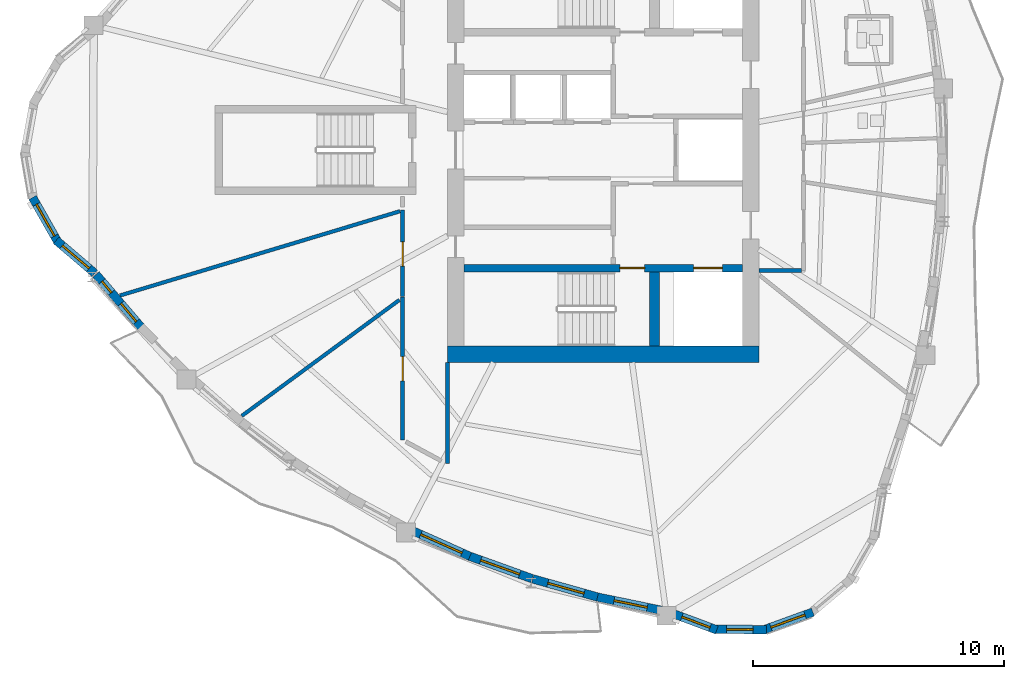
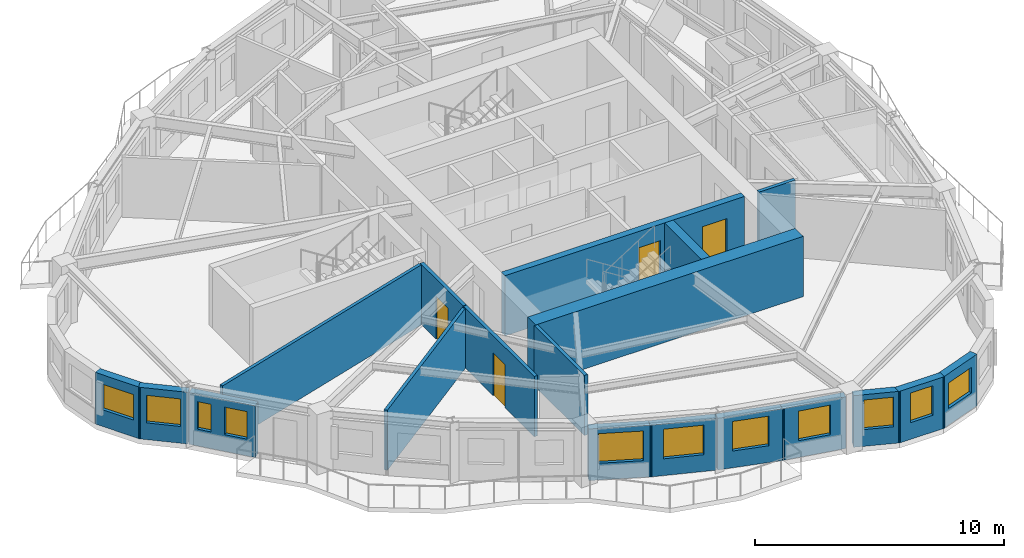
# One storey, part 3 of 12: 19 walls, 11 windows, 4 doors, 15 openings.
"""IFC4 building model written with IfcOpenShell, lengths in metres."""

from ifc_helpers import new_model, si_unit, direction, frame, frame_2d, origin, place, context, subcontext, project, spatial, rectangle, extrude, source, transform, mapped, material, layer, layer_set, type_object, element, fill, save


model = new_model("IFC4")

# Units and contexts
model_context = context("Model", 3, precision=1e-05, world=origin(), true_north=direction((0.0, 1.0)))
body_context = subcontext(model_context, "Body", "Model", "MODEL_VIEW")
ifc_project = project(units=[si_unit("LENGTHUNIT", "METRE"), si_unit("AREAUNIT", "SQUARE_METRE"), si_unit("VOLUMEUNIT", "CUBIC_METRE"), si_unit("PLANEANGLEUNIT", "RADIAN"), si_unit("MASSUNIT", "GRAM", prefix="KILO")], contexts=[model_context])

# Site, building, storey
site_placement = place(None, origin())
site = spatial("IfcSite", under=ifc_project, at=site_placement, CompositionType="ELEMENT")
building_placement = place(site_placement, origin())
building = spatial("IfcBuilding", under=site, at=building_placement, Name="Qafzar Sky-Pleat Residences", CompositionType="ELEMENT")
storey_placement = place(building_placement, frame((0.0, 0.0, 139.39990234375)))
storey = spatial("IfcBuildingStorey", under=building, at=storey_placement, Name="L41", CompositionType="ELEMENT", Elevation=139.39990234375)

# Wall, opening, door
ifc_material_1 = material(Name="Acoustic gypsum plasterboard partition", Category="gypsum")
ifc_layer_1 = layer(ifc_material_1, 0.159912109375)
ifc_layer_set_1 = layer_set([ifc_layer_1], Name="Acoustic gypsum plasterboard partition")
wall_type_1 = type_object("IfcWallType", Name="PART-COR-160", PredefinedType="PARTITIONING", material=ifc_layer_set_1)
wall_1_placement = place(storey_placement, frame((22.3701171875, 20.14794921875, 0.0), z_axis=(0.0, 0.0, 1.0), x_axis=(0.0, -1.0, 0.0)))
wall_1 = element("IfcWall", 1, at=wall_1_placement, inside=storey, type_object=wall_type_1, Name="L41 Partition Wall PART-L41-PW-001", PredefinedType="PARTITIONING", context=body_context, shape_type="SweptSolid", body=[
    extrude(rectangle(XDim=5.69287109375, YDim=0.159912109375, at=frame_2d((2.846435546875, 0.0))), origin(), (0.0, 0.0, 1.0), 2.9501953125),
])
opening_1_placement = place(wall_1_placement, frame((2.37548828125, 0.0, 0.0)))
opening_1 = element("IfcOpeningElement", 2, at=opening_1_placement, cuts=wall_1, Name="Opening ID-06", PredefinedType="OPENING", context=body_context, shape_type="SweptSolid", body=[
    extrude(rectangle(XDim=0.9599609375, YDim=2.10009765625, at=frame_2d((0.47998046875, 1.050048828125))), frame((0.0, 0.08984375, 0.0), z_axis=(0.0, -1.0, 0.0), x_axis=(1.0, 0.0, 0.0)), (0.0, 0.0, 1.0), 0.179931640625),
])
ifc_material_2 = material(Name="Timber-faced fire door", Category="wood")
door_type_1 = type_object("IfcDoorType", Name="DR-STD-960", OperationType="NOTDEFINED", PredefinedType="DOOR", material=ifc_material_2)
shared_shape_1 = source(origin(), body_context, "Body", "SweptSolid", [
    extrude(rectangle(XDim=0.9599609375, YDim=2.10009765625, at=frame_2d((0.47998046875, 1.050048828125))), frame((0.0, 0.02490234375, 0.0), z_axis=(0.0, -1.0, 0.0), x_axis=(1.0, 0.0, 0.0)), (0.0, 0.0, 1.0), 0.050048828125),
])
door_1_placement = place(opening_1_placement, origin())
door_1 = element("IfcDoor", 3, at=door_1_placement, inside=storey, type_object=door_type_1, Name="L41 Scholar Co-Working Workspace Door", OperationType="SINGLE_SWING_LEFT", OverallHeight=2.10009765625, OverallWidth=0.9599609375, PredefinedType="DOOR", context=body_context, shape_type="MappedRepresentation", body=[
    mapped(shared_shape_1, transform((0.0, 0.0, 0.0), x_axis=(1.0, 0.0, 0.0), y_axis=(0.0, 1.0, 0.0), z_axis=(0.0, 0.0, 1.0), scale=1.0)),
])
fill(opening_1, door_1)

wall_2_placement = place(storey_placement, frame((22.3701171875, 20.1630859375, 0.0), z_axis=(0.0, 0.0, 1.0), x_axis=(0.0, 1.0, 0.0)))
wall_2 = element("IfcWall", 4, at=wall_2_placement, inside=storey, type_object=wall_type_1, Name="L41 Partition Wall PART-L41-PW-007", PredefinedType="PARTITIONING", context=body_context, shape_type="SweptSolid", body=[
    extrude(rectangle(XDim=3.449951171875, YDim=0.159912109375, at=frame_2d((1.72509765625, 0.0))), origin(), (0.0, 0.0, 1.0), 2.9501953125),
])
opening_2_placement = place(wall_2_placement, frame((1.220947265625, 0.0, 0.0)))
opening_2 = element("IfcOpeningElement", 5, at=opening_2_placement, cuts=wall_2, Name="Opening ID-06", PredefinedType="OPENING", context=body_context, shape_type="SweptSolid", body=[
    extrude(rectangle(XDim=0.9599609375, YDim=2.10009765625, at=frame_2d((0.47998046875, 1.050048828125))), frame((0.0, 0.08984375, 0.0), z_axis=(0.0, -1.0, 0.0), x_axis=(1.0, 0.0, 0.0)), (0.0, 0.0, 1.0), 0.179931640625),
])
door_2_placement = place(opening_2_placement, origin())
door_2 = element("IfcDoor", 6, at=door_2_placement, inside=storey, type_object=door_type_1, Name="L41 Wellness Yoga Studio Door", OperationType="SINGLE_SWING_RIGHT", OverallHeight=2.10009765625, OverallWidth=0.9599609375, PredefinedType="DOOR", context=body_context, shape_type="MappedRepresentation", body=[
    mapped(shared_shape_1, transform((0.0, 0.0, 0.0), x_axis=(1.0, 0.0, 0.0), y_axis=(0.0, 1.0, 0.0), z_axis=(0.0, 0.0, 1.0), scale=1.0)),
])
fill(opening_2, door_2)

# Walls
wall_3_placement = place(storey_placement, frame((24.14990234375, 13.51611328125, 0.0), z_axis=(0.0, 0.0, 1.0), x_axis=(0.0, 1.0, 0.0)))
element("IfcWall", 7, at=wall_3_placement, inside=storey, type_object=wall_type_1, Name="L41 Partition Wall PART-L41-PW-025", PredefinedType="PARTITIONING", context=body_context, shape_type="SweptSolid", body=[
    extrude(rectangle(XDim=4.02587890625, YDim=0.159912109375, at=frame_2d((2.012939453125, 0.0))), origin(), (0.0, 0.0, 1.0), 2.9501953125),
])
wall_4_placement = place(storey_placement, frame((36.55810546875, 21.199951171875, 0.0), z_axis=(0.0, 0.0, 1.0), x_axis=(1.0, 0.0, 0.0)))
element("IfcWall", 8, at=wall_4_placement, inside=storey, type_object=wall_type_1, Name="L41 Partition Wall PART-L41-PW-034", PredefinedType="PARTITIONING", context=body_context, shape_type="SweptSolid", body=[
    extrude(rectangle(XDim=1.683837890625, YDim=0.159912109375, at=frame_2d((0.841796875, 0.0))), origin(), (0.0, 0.0, 1.0), 2.9501953125),
])
ifc_layer_2 = layer(ifc_material_1, 0.14501953125)
ifc_layer_set_2 = layer_set([ifc_layer_2], Name="Acoustic gypsum plasterboard partition")
wall_type_2 = type_object("IfcWallType", Name="PART-UNIT-145", PredefinedType="PARTITIONING", material=ifc_layer_set_2)
wall_5_placement = place(storey_placement, frame((11.112548828125, 20.20849609375, 0.0), z_axis=(0.0, 0.0, 1.0), x_axis=(0.957541878855, 0.288294207778, 0.0)))
element("IfcWall", 9, at=wall_5_placement, inside=storey, type_object=wall_type_2, Name="L41 Partition Wall PART-L41-PW-014", PredefinedType="PARTITIONING", context=body_context, shape_type="SweptSolid", body=[
    extrude(rectangle(XDim=11.643310546875, YDim=0.14501953125, at=frame_2d((5.82177734375, 0.0))), origin(), (0.0, 0.0, 1.0), 2.9501953125),
])
wall_6_placement = place(storey_placement, frame((15.96240234375, 15.416015625, 0.0), z_axis=(0.0, 0.0, 1.0), x_axis=(0.805487856374, 0.59261227901, 0.0)))
element("IfcWall", 10, at=wall_6_placement, inside=storey, type_object=wall_type_2, Name="L41 Partition Wall PART-L41-PW-016", PredefinedType="PARTITIONING", context=body_context, shape_type="SweptSolid", body=[
    extrude(rectangle(XDim=7.794189453125, YDim=0.14501953125, at=frame_2d((3.89697265625, 0.0))), origin(), (0.0, 0.0, 1.0), 2.9501953125),
])

# Wall, opening, window
ifc_material_3 = material(Name="Precast concrete C40/50 with honed Riyadh limestone", Category="concrete")
ifc_layer_3 = layer(ifc_material_3, 0.340087890625)
ifc_layer_set_3 = layer_set([ifc_layer_3], Name="Precast concrete C40/50 with honed Riyadh limestone")
wall_type_3 = type_object("IfcWallType", Name="WALL-EXT-340", PredefinedType="SOLIDWALL", material=ifc_layer_set_3)
wall_7_placement = place(storey_placement, frame((7.63037109375, 24.11279296875, 0.0), z_axis=(0.0, 0.0, 1.0), x_axis=(0.49374939324, -0.869604241408, 0.0)))
wall_7 = element("IfcWall", 11, at=wall_7_placement, inside=storey, type_object=wall_type_3, Name="L41 Limestone Facade Wall 5", PredefinedType="SOLIDWALL", context=body_context, shape_type="SweptSolid", body=[
    extrude(rectangle(XDim=2.081298828125, YDim=0.340087890625, at=frame_2d((1.04052734375, 0.0))), origin(), (0.0, 0.0, 1.0), 2.530029296875),
])
opening_3_placement = place(wall_7_placement, frame((0.315673828125, 0.0, 0.820068359375)))
opening_3 = element("IfcOpeningElement", 12, at=opening_3_placement, cuts=wall_7, Name="Opening WN-15", PredefinedType="OPENING", context=body_context, shape_type="SweptSolid", body=[
    extrude(rectangle(XDim=1.449951171875, YDim=1.25, at=frame_2d((0.72509765625, 0.625))), frame((0.0, 0.18017578125, 0.0), z_axis=(0.0, -1.0, 0.0), x_axis=(1.0, 0.0, 0.0)), (0.0, 0.0, 1.0), 0.360107421875),
])
ifc_material_4 = material(Name="Solar-control low-E glass in bronze aluminium frame", Category="glass")
window_type_1 = type_object("IfcWindowType", Name="WIN-15", PartitioningType="SINGLE_PANEL", PredefinedType="WINDOW", material=ifc_material_4)
shared_shape_2 = source(origin(), body_context, "Body", "SweptSolid", [
    extrude(rectangle(XDim=1.449951171875, YDim=1.25, at=frame_2d((0.72509765625, 0.625))), frame((0.0, 0.030029296875, 0.0), z_axis=(0.0, -1.0, 0.0), x_axis=(1.0, 0.0, 0.0)), (0.0, 0.0, 1.0), 0.06005859375),
])
window_1_placement = place(opening_3_placement, origin())
window_1 = element("IfcWindow", 13, at=window_1_placement, inside=storey, type_object=window_type_1, Name="L41 Punched Facade Window 05", OverallHeight=1.25, OverallWidth=1.449951171875, PartitioningType="SINGLE_PANEL", PredefinedType="WINDOW", context=body_context, shape_type="MappedRepresentation", body=[
    mapped(shared_shape_2, transform((0.0, 0.0, 0.0), x_axis=(1.0, 0.0, 0.0), y_axis=(0.0, 1.0, 0.0), z_axis=(0.0, 0.0, 1.0), scale=1.0)),
])
fill(opening_3, window_1)

wall_8_placement = place(storey_placement, frame((8.57275390625, 22.406005859375, 0.0), z_axis=(0.0, 0.0, 1.0), x_axis=(0.760379886087, -0.649478582276, 0.0)))
wall_8 = element("IfcWall", 14, at=wall_8_placement, inside=storey, type_object=wall_type_3, Name="L41 Limestone Facade Wall 6", PredefinedType="SOLIDWALL", context=body_context, shape_type="SweptSolid", body=[
    extrude(rectangle(XDim=2.023193359375, YDim=0.340087890625, at=frame_2d((1.01171875, 0.0))), origin(), (0.0, 0.0, 1.0), 2.530029296875),
])
opening_4_placement = place(wall_8_placement, frame((0.321533203125, 0.0, 0.820068359375)))
opening_4 = element("IfcOpeningElement", 15, at=opening_4_placement, cuts=wall_8, Name="Opening WN-10", PredefinedType="OPENING", context=body_context, shape_type="SweptSolid", body=[
    extrude(rectangle(XDim=1.39990234375, YDim=1.35009765625, at=frame_2d((0.699951171875, 0.675048828125))), frame((0.0, 0.18017578125, 0.0), z_axis=(0.0, -1.0, 0.0), x_axis=(1.0, 0.0, 0.0)), (0.0, 0.0, 1.0), 0.360107421875),
])
window_type_2 = type_object("IfcWindowType", Name="WIN-10", PartitioningType="SINGLE_PANEL", PredefinedType="WINDOW", material=ifc_material_4)
shared_shape_3 = source(origin(), body_context, "Body", "SweptSolid", [
    extrude(rectangle(XDim=1.39990234375, YDim=1.35009765625, at=frame_2d((0.699951171875, 0.675048828125))), frame((0.0, 0.030029296875, 0.0), z_axis=(0.0, -1.0, 0.0), x_axis=(1.0, 0.0, 0.0)), (0.0, 0.0, 1.0), 0.06005859375),
])
window_2_placement = place(opening_4_placement, origin())
window_2 = element("IfcWindow", 16, at=window_2_placement, inside=storey, type_object=window_type_2, Name="L41 Punched Facade Window 06", OverallHeight=1.35009765625, OverallWidth=1.39990234375, PartitioningType="SINGLE_PANEL", PredefinedType="WINDOW", context=body_context, shape_type="MappedRepresentation", body=[
    mapped(shared_shape_3, transform((0.0, 0.0, 0.0), x_axis=(1.0, 0.0, 0.0), y_axis=(0.0, 1.0, 0.0), z_axis=(0.0, 0.0, 1.0), scale=1.0)),
])
fill(opening_4, window_2)

# Wall, openings, windows
wall_9_placement = place(storey_placement, frame((10.157958984375, 21.045166015625, 0.0), z_axis=(0.0, 0.0, 1.0), x_axis=(0.650385352329, -0.759604432238, 0.0)))
wall_9 = element("IfcWall", 17, at=wall_9_placement, inside=storey, type_object=wall_type_3, Name="L41 Limestone Facade Wall 7", PredefinedType="SOLIDWALL", context=body_context, shape_type="SweptSolid", body=[
    extrude(rectangle(XDim=2.8232421875, YDim=0.340087890625, at=frame_2d((1.41162109375, 0.0))), origin(), (0.0, 0.0, 1.0), 2.530029296875),
])
opening_5_placement = place(wall_9_placement, frame((0.363525390625, 0.0, 0.820068359375)))
opening_5 = element("IfcOpeningElement", 18, at=opening_5_placement, cuts=wall_9, Name="Opening WN-17", PredefinedType="OPENING", context=body_context, shape_type="SweptSolid", body=[
    extrude(rectangle(XDim=0.580078125, YDim=1.35009765625, at=frame_2d((0.2900390625, 0.675048828125))), frame((0.0, 0.18017578125, 0.0), z_axis=(0.0, -1.0, 0.0), x_axis=(1.0, 0.0, 0.0)), (0.0, 0.0, 1.0), 0.360107421875),
])
opening_6_placement = place(wall_9_placement, frame((1.520263671875, 0.0, 0.820068359375)))
opening_6 = element("IfcOpeningElement", 19, at=opening_6_placement, cuts=wall_9, Name="Opening WN-12", PredefinedType="OPENING", context=body_context, shape_type="SweptSolid", body=[
    extrude(rectangle(XDim=0.949951171875, YDim=1.35009765625, at=frame_2d((0.47509765625, 0.675048828125))), frame((0.0, 0.18017578125, 0.0), z_axis=(0.0, -1.0, 0.0), x_axis=(1.0, 0.0, 0.0)), (0.0, 0.0, 1.0), 0.360107421875),
])
window_type_3 = type_object("IfcWindowType", Name="WIN-12", PartitioningType="SINGLE_PANEL", PredefinedType="WINDOW", material=ifc_material_4)
shared_shape_4 = source(origin(), body_context, "Body", "SweptSolid", [
    extrude(rectangle(XDim=0.949951171875, YDim=1.35009765625, at=frame_2d((0.47509765625, 0.675048828125))), frame((0.0, 0.030029296875, 0.0), z_axis=(0.0, -1.0, 0.0), x_axis=(1.0, 0.0, 0.0)), (0.0, 0.0, 1.0), 0.06005859375),
])
window_3_placement = place(opening_6_placement, origin())
window_3 = element("IfcWindow", 20, at=window_3_placement, inside=storey, type_object=window_type_3, Name="L41 Punched Facade Window 07-2", OverallHeight=1.35009765625, OverallWidth=0.949951171875, PartitioningType="SINGLE_PANEL", PredefinedType="WINDOW", context=body_context, shape_type="MappedRepresentation", body=[
    mapped(shared_shape_4, transform((0.0, 0.0, 0.0), x_axis=(1.0, 0.0, 0.0), y_axis=(0.0, 1.0, 0.0), z_axis=(0.0, 0.0, 1.0), scale=1.0)),
])
fill(opening_6, window_3)
window_type_4 = type_object("IfcWindowType", Name="WIN-17", PartitioningType="SINGLE_PANEL", PredefinedType="WINDOW", material=ifc_material_4)
shared_shape_5 = source(origin(), body_context, "Body", "SweptSolid", [
    extrude(rectangle(XDim=0.580078125, YDim=1.35009765625, at=frame_2d((0.2900390625, 0.675048828125))), frame((0.0, 0.030029296875, 0.0), z_axis=(0.0, -1.0, 0.0), x_axis=(1.0, 0.0, 0.0)), (0.0, 0.0, 1.0), 0.06005859375),
])
window_4_placement = place(opening_5_placement, origin())
window_4 = element("IfcWindow", 21, at=window_4_placement, inside=storey, type_object=window_type_4, Name="L41 Punched Facade Window 07", OverallHeight=1.35009765625, OverallWidth=0.580078125, PartitioningType="SINGLE_PANEL", PredefinedType="WINDOW", context=body_context, shape_type="MappedRepresentation", body=[
    mapped(shared_shape_5, transform((0.0, 0.0, 0.0), x_axis=(1.0, 0.0, 0.0), y_axis=(0.0, 1.0, 0.0), z_axis=(0.0, 0.0, 1.0), scale=1.0)),
])
fill(opening_5, window_4)

# Wall, opening, window
wall_10_placement = place(storey_placement, frame((22.710693359375, 10.8623046875, 0.0), z_axis=(0.0, 0.0, 1.0), x_axis=(0.913215380704, -0.40747719991, 0.0)))
wall_10 = element("IfcWall", 22, at=wall_10_placement, inside=storey, type_object=wall_type_3, Name="L41 Limestone Facade Wall 13", PredefinedType="SOLIDWALL", context=body_context, shape_type="SweptSolid", body=[
    extrude(rectangle(XDim=2.55419921875, YDim=0.340087890625, at=frame_2d((1.277099609375, 0.0))), origin(), (0.0, 0.0, 1.0), 2.530029296875),
])
opening_7_placement = place(wall_10_placement, frame((0.412109375, 0.0, 0.820068359375)))
opening_7 = element("IfcOpeningElement", 23, at=opening_7_placement, cuts=wall_10, Name="Opening WN-01", PredefinedType="OPENING", context=body_context, shape_type="SweptSolid", body=[
    extrude(rectangle(XDim=1.800048828125, YDim=1.449951171875, at=frame_2d((0.89990234375, 0.72509765625))), frame((0.0, 0.18017578125, 0.0), z_axis=(0.0, -1.0, 0.0), x_axis=(1.0, 0.0, 0.0)), (0.0, 0.0, 1.0), 0.360107421875),
])
window_type_5 = type_object("IfcWindowType", Name="WIN-01", PartitioningType="DOUBLE_PANEL_VERTICAL", PredefinedType="WINDOW", material=ifc_material_4)
shared_shape_6 = source(origin(), body_context, "Body", "SweptSolid", [
    extrude(rectangle(XDim=1.800048828125, YDim=1.449951171875, at=frame_2d((0.89990234375, 0.72509765625))), frame((0.0, 0.030029296875, 0.0), z_axis=(0.0, -1.0, 0.0), x_axis=(1.0, 0.0, 0.0)), (0.0, 0.0, 1.0), 0.06005859375),
])
window_5_placement = place(opening_7_placement, origin())
window_5 = element("IfcWindow", 24, at=window_5_placement, inside=storey, type_object=window_type_5, Name="L41 Punched Facade Window 13", OverallHeight=1.449951171875, OverallWidth=1.800048828125, PartitioningType="SINGLE_PANEL", PredefinedType="WINDOW", context=body_context, shape_type="MappedRepresentation", body=[
    mapped(shared_shape_6, transform((0.0, 0.0, 0.0), x_axis=(1.0, 0.0, 0.0), y_axis=(0.0, 1.0, 0.0), z_axis=(0.0, 0.0, 1.0), scale=1.0)),
])
fill(opening_7, window_5)

wall_11_placement = place(storey_placement, frame((24.961181640625, 9.8544921875, 0.0), z_axis=(0.0, 0.0, 1.0), x_axis=(0.940920595733, -0.338627276701, 0.0)))
wall_11 = element("IfcWall", 25, at=wall_11_placement, inside=storey, type_object=wall_type_3, Name="L41 Limestone Facade Wall 14", PredefinedType="SOLIDWALL", context=body_context, shape_type="SweptSolid", body=[
    extrude(rectangle(XDim=2.719482421875, YDim=0.340087890625, at=frame_2d((1.35986328125, 0.0))), origin(), (0.0, 0.0, 1.0), 2.530029296875),
])
opening_8_placement = place(wall_11_placement, frame((0.544921875, 0.0, 0.820068359375)))
opening_8 = element("IfcOpeningElement", 26, at=opening_8_placement, cuts=wall_11, Name="Opening WN-02", PredefinedType="OPENING", context=body_context, shape_type="SweptSolid", body=[
    extrude(rectangle(XDim=1.64990234375, YDim=1.449951171875, at=frame_2d((0.824951171875, 0.72509765625))), frame((0.0, 0.18017578125, 0.0), z_axis=(0.0, -1.0, 0.0), x_axis=(1.0, 0.0, 0.0)), (0.0, 0.0, 1.0), 0.360107421875),
])
window_type_6 = type_object("IfcWindowType", Name="WIN-02", PartitioningType="DOUBLE_PANEL_VERTICAL", PredefinedType="WINDOW", material=ifc_material_4)
shared_shape_7 = source(origin(), body_context, "Body", "SweptSolid", [
    extrude(rectangle(XDim=1.64990234375, YDim=1.449951171875, at=frame_2d((0.824951171875, 0.72509765625))), frame((0.0, 0.030029296875, 0.0), z_axis=(0.0, -1.0, 0.0), x_axis=(1.0, 0.0, 0.0)), (0.0, 0.0, 1.0), 0.06005859375),
])
window_6_placement = place(opening_8_placement, origin())
window_6 = element("IfcWindow", 27, at=window_6_placement, inside=storey, type_object=window_type_6, Name="L41 Punched Facade Window 14", OverallHeight=1.449951171875, OverallWidth=1.64990234375, PartitioningType="SINGLE_PANEL", PredefinedType="WINDOW", context=body_context, shape_type="MappedRepresentation", body=[
    mapped(shared_shape_7, transform((0.0, 0.0, 0.0), x_axis=(1.0, 0.0, 0.0), y_axis=(0.0, 1.0, 0.0), z_axis=(0.0, 0.0, 1.0), scale=1.0)),
])
fill(opening_8, window_6)

wall_12_placement = place(storey_placement, frame((27.54638671875, 8.925048828125, 0.0), z_axis=(0.0, 0.0, 1.0), x_axis=(0.962897957222, -0.269865751767, 0.0)))
wall_12 = element("IfcWall", 28, at=wall_12_placement, inside=storey, type_object=wall_type_3, Name="L41 Limestone Facade Wall 15", PredefinedType="SOLIDWALL", context=body_context, shape_type="SweptSolid", body=[
    extrude(rectangle(XDim=2.7646484375, YDim=0.340087890625, at=frame_2d((1.38232421875, 0.0))), origin(), (0.0, 0.0, 1.0), 2.530029296875),
])
opening_9_placement = place(wall_12_placement, frame((0.622314453125, 0.0, 0.820068359375)))
opening_9 = element("IfcOpeningElement", 29, at=opening_9_placement, cuts=wall_12, Name="Opening WN-03", PredefinedType="OPENING", context=body_context, shape_type="SweptSolid", body=[
    extrude(rectangle(XDim=1.5, YDim=1.449951171875, at=frame_2d((0.75, 0.72509765625))), frame((0.0, 0.18017578125, 0.0), z_axis=(0.0, -1.0, 0.0), x_axis=(1.0, 0.0, 0.0)), (0.0, 0.0, 1.0), 0.360107421875),
])
window_type_7 = type_object("IfcWindowType", Name="WIN-03", PartitioningType="DOUBLE_PANEL_VERTICAL", PredefinedType="WINDOW", material=ifc_material_4)
shared_shape_8 = source(origin(), body_context, "Body", "SweptSolid", [
    extrude(rectangle(XDim=1.5, YDim=1.449951171875, at=frame_2d((0.75, 0.72509765625))), frame((0.0, 0.030029296875, 0.0), z_axis=(0.0, -1.0, 0.0), x_axis=(1.0, 0.0, 0.0)), (0.0, 0.0, 1.0), 0.06005859375),
])
window_7_placement = place(opening_9_placement, origin())
window_7 = element("IfcWindow", 30, at=window_7_placement, inside=storey, type_object=window_type_7, Name="L41 Punched Facade Window 15", OverallHeight=1.449951171875, OverallWidth=1.5, PartitioningType="SINGLE_PANEL", PredefinedType="WINDOW", context=body_context, shape_type="MappedRepresentation", body=[
    mapped(shared_shape_8, transform((0.0, 0.0, 0.0), x_axis=(1.0, 0.0, 0.0), y_axis=(0.0, 1.0, 0.0), z_axis=(0.0, 0.0, 1.0), scale=1.0)),
])
fill(opening_9, window_7)

wall_13_placement = place(storey_placement, frame((30.123291015625, 8.19970703125, 0.0), z_axis=(0.0, 0.0, 1.0), x_axis=(0.979331814777, -0.20226021993, 0.0)))
wall_13 = element("IfcWall", 31, at=wall_13_placement, inside=storey, type_object=wall_type_3, Name="L41 Limestone Facade Wall 16", PredefinedType="SOLIDWALL", context=body_context, shape_type="SweptSolid", body=[
    extrude(rectangle(XDim=2.688232421875, YDim=0.340087890625, at=frame_2d((1.34423828125, 0.0))), origin(), (0.0, 0.0, 1.0), 2.530029296875),
])
opening_10_placement = place(wall_13_placement, frame((0.674072265625, 0.0, 0.820068359375)))
opening_10 = element("IfcOpeningElement", 32, at=opening_10_placement, cuts=wall_13, Name="Opening WN-04", PredefinedType="OPENING", context=body_context, shape_type="SweptSolid", body=[
    extrude(rectangle(XDim=1.35009765625, YDim=1.449951171875, at=frame_2d((0.675048828125, 0.72509765625))), frame((0.0, 0.18017578125, 0.0), z_axis=(0.0, -1.0, 0.0), x_axis=(1.0, 0.0, 0.0)), (0.0, 0.0, 1.0), 0.360107421875),
])
window_type_8 = type_object("IfcWindowType", Name="WIN-04", PartitioningType="SINGLE_PANEL", PredefinedType="WINDOW", material=ifc_material_4)
shared_shape_9 = source(origin(), body_context, "Body", "SweptSolid", [
    extrude(rectangle(XDim=1.35009765625, YDim=1.449951171875, at=frame_2d((0.675048828125, 0.72509765625))), frame((0.0, 0.030029296875, 0.0), z_axis=(0.0, -1.0, 0.0), x_axis=(1.0, 0.0, 0.0)), (0.0, 0.0, 1.0), 0.06005859375),
])
window_8_placement = place(opening_10_placement, origin())
window_8 = element("IfcWindow", 33, at=window_8_placement, inside=storey, type_object=window_type_8, Name="L41 Punched Facade Window 16", OverallHeight=1.449951171875, OverallWidth=1.35009765625, PartitioningType="SINGLE_PANEL", PredefinedType="WINDOW", context=body_context, shape_type="MappedRepresentation", body=[
    mapped(shared_shape_9, transform((0.0, 0.0, 0.0), x_axis=(1.0, 0.0, 0.0), y_axis=(0.0, 1.0, 0.0), z_axis=(0.0, 0.0, 1.0), scale=1.0)),
])
fill(opening_10, window_8)

wall_14_placement = place(storey_placement, frame((33.077880859375, 7.563232421875, 0.0), z_axis=(0.0, 0.0, 1.0), x_axis=(0.936940595305, -0.349488656282, 0.0)))
wall_14 = element("IfcWall", 34, at=wall_14_placement, inside=storey, type_object=wall_type_3, Name="L41 Limestone Facade Wall 17", PredefinedType="SOLIDWALL", context=body_context, shape_type="SweptSolid", body=[
    extrude(rectangle(XDim=1.91552734375, YDim=0.340087890625, at=frame_2d((0.957763671875, 0.0))), origin(), (0.0, 0.0, 1.0), 2.530029296875),
])
opening_11_placement = place(wall_14_placement, frame((0.432861328125, 0.0, 0.820068359375)))
opening_11 = element("IfcOpeningElement", 35, at=opening_11_placement, cuts=wall_14, Name="Opening WN-05", PredefinedType="OPENING", context=body_context, shape_type="SweptSolid", body=[
    extrude(rectangle(XDim=1.199951171875, YDim=1.449951171875, at=frame_2d((0.60009765625, 0.72509765625))), frame((0.0, 0.18017578125, 0.0), z_axis=(0.0, -1.0, 0.0), x_axis=(1.0, 0.0, 0.0)), (0.0, 0.0, 1.0), 0.360107421875),
])
window_type_9 = type_object("IfcWindowType", Name="WIN-05", PartitioningType="SINGLE_PANEL", PredefinedType="WINDOW", material=ifc_material_4)
shared_shape_10 = source(origin(), body_context, "Body", "SweptSolid", [
    extrude(rectangle(XDim=1.199951171875, YDim=1.449951171875, at=frame_2d((0.60009765625, 0.72509765625))), frame((0.0, 0.030029296875, 0.0), z_axis=(0.0, -1.0, 0.0), x_axis=(1.0, 0.0, 0.0)), (0.0, 0.0, 1.0), 0.06005859375),
])
window_9_placement = place(opening_11_placement, origin())
window_9 = element("IfcWindow", 36, at=window_9_placement, inside=storey, type_object=window_type_9, Name="L41 Punched Facade Window 17", OverallHeight=1.449951171875, OverallWidth=1.199951171875, PartitioningType="SINGLE_PANEL", PredefinedType="WINDOW", context=body_context, shape_type="MappedRepresentation", body=[
    mapped(shared_shape_10, transform((0.0, 0.0, 0.0), x_axis=(1.0, 0.0, 0.0), y_axis=(0.0, 1.0, 0.0), z_axis=(0.0, 0.0, 1.0), scale=1.0)),
])
fill(opening_11, window_9)

wall_15_placement = place(storey_placement, frame((34.740478515625, 6.91796875, 0.0), z_axis=(0.0, 0.0, 1.0), x_axis=(0.9999881768, -0.004862742089, 0.0)))
wall_15 = element("IfcWall", 37, at=wall_15_placement, inside=storey, type_object=wall_type_3, Name="L41 Limestone Facade Wall 18", PredefinedType="SOLIDWALL", context=body_context, shape_type="SweptSolid", body=[
    extrude(rectangle(XDim=2.108642578125, YDim=0.340087890625, at=frame_2d((1.05419921875, 0.0))), origin(), (0.0, 0.0, 1.0), 2.530029296875),
])
opening_12_placement = place(wall_15_placement, frame((0.529296875, 0.0, 0.820068359375)))
opening_12 = element("IfcOpeningElement", 38, at=opening_12_placement, cuts=wall_15, Name="Opening WN-06", PredefinedType="OPENING", context=body_context, shape_type="SweptSolid", body=[
    extrude(rectangle(XDim=1.050048828125, YDim=1.449951171875, at=frame_2d((0.52490234375, 0.72509765625))), frame((0.0, 0.18017578125, 0.0), z_axis=(0.0, -1.0, 0.0), x_axis=(1.0, 0.0, 0.0)), (0.0, 0.0, 1.0), 0.360107421875),
])
window_type_10 = type_object("IfcWindowType", Name="WIN-06", PartitioningType="SINGLE_PANEL", PredefinedType="WINDOW", material=ifc_material_4)
shared_shape_11 = source(origin(), body_context, "Body", "SweptSolid", [
    extrude(rectangle(XDim=1.050048828125, YDim=1.449951171875, at=frame_2d((0.52490234375, 0.72509765625))), frame((0.0, 0.030029296875, 0.0), z_axis=(0.0, -1.0, 0.0), x_axis=(1.0, 0.0, 0.0)), (0.0, 0.0, 1.0), 0.06005859375),
])
window_10_placement = place(opening_12_placement, origin())
window_10 = element("IfcWindow", 39, at=window_10_placement, inside=storey, type_object=window_type_10, Name="L41 Punched Facade Window 18", OverallHeight=1.449951171875, OverallWidth=1.050048828125, PartitioningType="SINGLE_PANEL", PredefinedType="WINDOW", context=body_context, shape_type="MappedRepresentation", body=[
    mapped(shared_shape_11, transform((0.0, 0.0, 0.0), x_axis=(1.0, 0.0, 0.0), y_axis=(0.0, 1.0, 0.0), z_axis=(0.0, 0.0, 1.0), scale=1.0)),
])
fill(opening_12, window_10)

wall_16_placement = place(storey_placement, frame((36.716552734375, 6.884765625, 0.0), z_axis=(0.0, 0.0, 1.0), x_axis=(0.940242205015, 0.340506381597, 0.0)))
wall_16 = element("IfcWall", 40, at=wall_16_placement, inside=storey, type_object=wall_type_3, Name="L41 Limestone Facade Wall 19", PredefinedType="SOLIDWALL", context=body_context, shape_type="SweptSolid", body=[
    extrude(rectangle(XDim=2.108642578125, YDim=0.340087890625, at=frame_2d((1.05419921875, 0.0))), origin(), (0.0, 0.0, 1.0), 2.530029296875),
])
opening_13_placement = place(wall_16_placement, frame((0.329345703125, 0.0, 0.820068359375)))
opening_13 = element("IfcOpeningElement", 41, at=opening_13_placement, cuts=wall_16, Name="Opening WN-15", PredefinedType="OPENING", context=body_context, shape_type="SweptSolid", body=[
    extrude(rectangle(XDim=1.449951171875, YDim=1.25, at=frame_2d((0.72509765625, 0.625))), frame((0.0, 0.18017578125, 0.0), z_axis=(0.0, -1.0, 0.0), x_axis=(1.0, 0.0, 0.0)), (0.0, 0.0, 1.0), 0.360107421875),
])
window_11_placement = place(opening_13_placement, origin())
window_11 = element("IfcWindow", 42, at=window_11_placement, inside=storey, type_object=window_type_1, Name="L41 Punched Facade Window 19", OverallHeight=1.25, OverallWidth=1.449951171875, PartitioningType="SINGLE_PANEL", PredefinedType="WINDOW", context=body_context, shape_type="MappedRepresentation", body=[
    mapped(shared_shape_2, transform((0.0, 0.0, 0.0), x_axis=(1.0, 0.0, 0.0), y_axis=(0.0, 1.0, 0.0), z_axis=(0.0, 0.0, 1.0), scale=1.0)),
])
fill(opening_13, window_11)

# Wall, openings, doors
ifc_material_5 = material(Name="Concrete C60/75", Category="concrete")
ifc_layer_4 = layer(ifc_material_5, 0.300048828125)
ifc_layer_set_4 = layer_set([ifc_layer_4], Name="Concrete C60/75")
wall_type_4 = type_object("IfcWallType", Name="WALL-SHEAR-300", PredefinedType="SHEAR", material=ifc_layer_set_4)
wall_17_placement = place(storey_placement, frame((24.800048828125, 21.300048828125, 0.0), z_axis=(0.0, 0.0, 1.0), x_axis=(1.0, 0.0, 0.0)))
wall_17 = element("IfcWall", 43, at=wall_17_placement, inside=storey, type_object=wall_type_4, Name="L41 Stair ST1 and FF1 Shaft North Wall", PredefinedType="SHEAR", context=body_context, shape_type="SweptSolid", body=[
    extrude(rectangle(XDim=11.099853515625, YDim=0.300048828125, at=frame_2d((5.5498046875, 0.0))), origin(), (0.0, 0.0, 1.0), 2.9501953125),
])
opening_14_placement = place(wall_17_placement, frame((6.219970703125, 0.0, 0.0)))
opening_14 = element("IfcOpeningElement", 44, at=opening_14_placement, cuts=wall_17, Name="Opening ID-01", PredefinedType="OPENING", context=body_context, shape_type="SweptSolid", body=[
    extrude(rectangle(XDim=0.97998046875, YDim=2.14990234375, at=frame_2d((0.489990234375, 1.074951171875))), frame((0.0, 0.16015625, 0.0), z_axis=(0.0, -1.0, 0.0), x_axis=(1.0, 0.0, 0.0)), (0.0, 0.0, 1.0), 0.320068359375),
])
opening_15_placement = place(wall_17_placement, frame((9.14990234375, 0.0, 0.0)))
opening_15 = element("IfcOpeningElement", 45, at=opening_15_placement, cuts=wall_17, Name="Opening LD-02", PredefinedType="OPENING", context=body_context, shape_type="SweptSolid", body=[
    extrude(rectangle(XDim=1.14990234375, YDim=2.14990234375, at=frame_2d((0.574951171875, 1.074951171875))), frame((0.0, 0.16015625, 0.0), z_axis=(0.0, -1.0, 0.0), x_axis=(1.0, 0.0, 0.0)), (0.0, 0.0, 1.0), 0.320068359375),
])
door_type_2 = type_object("IfcDoorType", Name="DR-STAIR-980", OperationType="NOTDEFINED", PredefinedType="DOOR", material=ifc_material_2)
shared_shape_12 = source(origin(), body_context, "Body", "SweptSolid", [
    extrude(rectangle(XDim=0.97998046875, YDim=2.14990234375, at=frame_2d((0.489990234375, 1.074951171875))), frame((0.0, 0.02490234375, 0.0), z_axis=(0.0, -1.0, 0.0), x_axis=(1.0, 0.0, 0.0)), (0.0, 0.0, 1.0), 0.050048828125),
])
door_3_placement = place(opening_14_placement, origin())
door_3 = element("IfcDoor", 46, at=door_3_placement, inside=storey, type_object=door_type_2, Name="L41 Stair ST1 Fire Door", OperationType="SINGLE_SWING_LEFT", OverallHeight=2.14990234375, OverallWidth=0.97998046875, PredefinedType="DOOR", context=body_context, shape_type="MappedRepresentation", body=[
    mapped(shared_shape_12, transform((0.0, 0.0, 0.0), x_axis=(1.0, 0.0, 0.0), y_axis=(0.0, 1.0, 0.0), z_axis=(0.0, 0.0, 1.0), scale=1.0)),
])
fill(opening_14, door_3)
ifc_material_6 = material(Name="Stainless steel sliding landing door", Category="steel")
door_type_3 = type_object("IfcDoorType", Name="DR-LIFT-FF", OperationType="DOUBLE_DOOR_SLIDING", PredefinedType="DOOR", material=ifc_material_6)
shared_shape_13 = source(origin(), body_context, "Body", "SweptSolid", [
    extrude(rectangle(XDim=1.14990234375, YDim=2.14990234375, at=frame_2d((0.574951171875, 1.074951171875))), frame((0.0, 0.02490234375, 0.0), z_axis=(0.0, -1.0, 0.0), x_axis=(1.0, 0.0, 0.0)), (0.0, 0.0, 1.0), 0.050048828125),
])
door_4_placement = place(opening_15_placement, origin())
door_4 = element("IfcDoor", 47, at=door_4_placement, inside=storey, type_object=door_type_3, Name="L41 Firefighting Lift FF1 Landing Door", OperationType="DOUBLE_DOOR_SLIDING", OverallHeight=2.14990234375, OverallWidth=1.14990234375, PredefinedType="DOOR", context=body_context, shape_type="MappedRepresentation", body=[
    mapped(shared_shape_13, transform((0.0, 0.0, 0.0), x_axis=(1.0, 0.0, 0.0), y_axis=(0.0, 1.0, 0.0), z_axis=(0.0, 0.0, 1.0), scale=1.0)),
])
fill(opening_15, door_4)

# Walls
ifc_layer_5 = layer(ifc_material_5, 0.39990234375)
ifc_layer_set_5 = layer_set([ifc_layer_5], Name="Concrete C60/75")
wall_type_5 = type_object("IfcWallType", Name="WALL-SHEAR-400", PredefinedType="SHEAR", material=ifc_layer_set_5)
wall_18_placement = place(storey_placement, frame((32.39990234375, 18.199951171875, 0.0), z_axis=(0.0, 0.0, 1.0), x_axis=(0.0, 1.0, 0.0)))
element("IfcWall", 48, at=wall_18_placement, inside=storey, type_object=wall_type_5, Name="L41 Stair ST1 East Dividing Wall", PredefinedType="SHEAR", context=body_context, shape_type="SweptSolid", body=[
    extrude(rectangle(XDim=2.949951171875, YDim=0.39990234375, at=frame_2d((1.47509765625, 0.0))), origin(), (0.0, 0.0, 1.0), 2.9501953125),
])
ifc_layer_6 = layer(ifc_material_5, 0.64990234375)
ifc_layer_set_6 = layer_set([ifc_layer_6], Name="Concrete C60/75")
wall_type_6 = type_object("IfcWallType", Name="WALL-SHEAR-650", PredefinedType="SHEAR", material=ifc_layer_set_6)
wall_19_placement = place(storey_placement, frame((24.14990234375, 17.875, 0.0), z_axis=(0.0, 0.0, 1.0), x_axis=(1.0, 0.0, 0.0)))
element("IfcWall", 49, at=wall_19_placement, inside=storey, type_object=wall_type_6, Name="L41 CORE wall S", PredefinedType="SHEAR", context=body_context, shape_type="SweptSolid", body=[
    extrude(rectangle(XDim=12.400146484375, YDim=0.64990234375, at=frame_2d((6.2001953125, 0.0))), origin(), (0.0, 0.0, 1.0), 2.9501953125),
])

save(model, "model.ifc")
